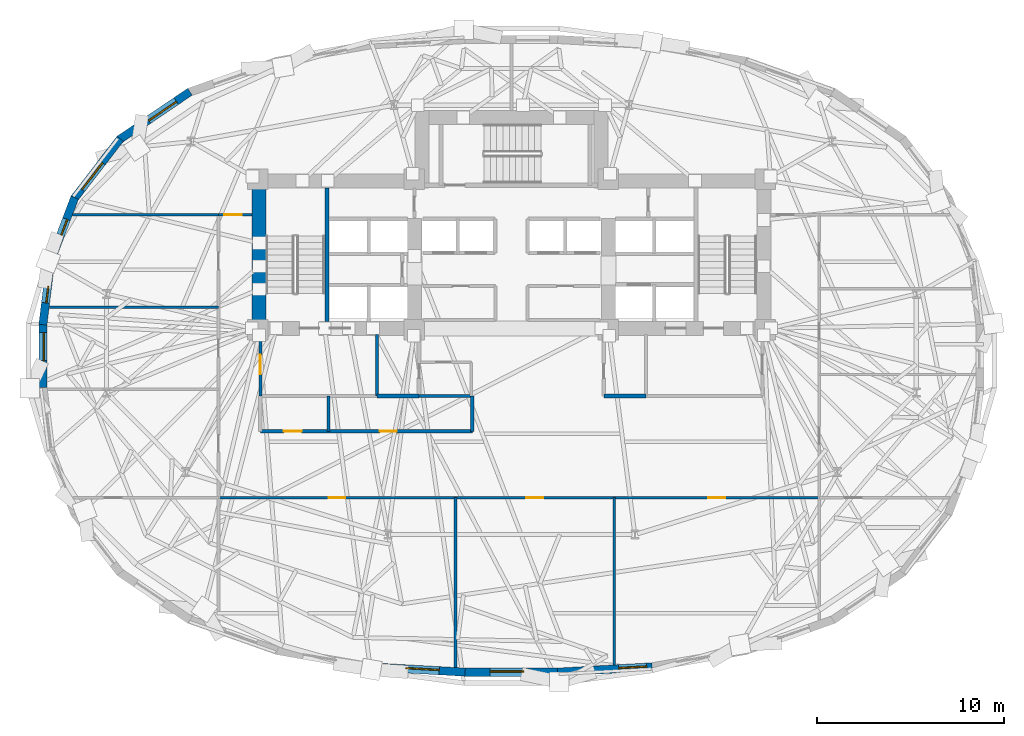
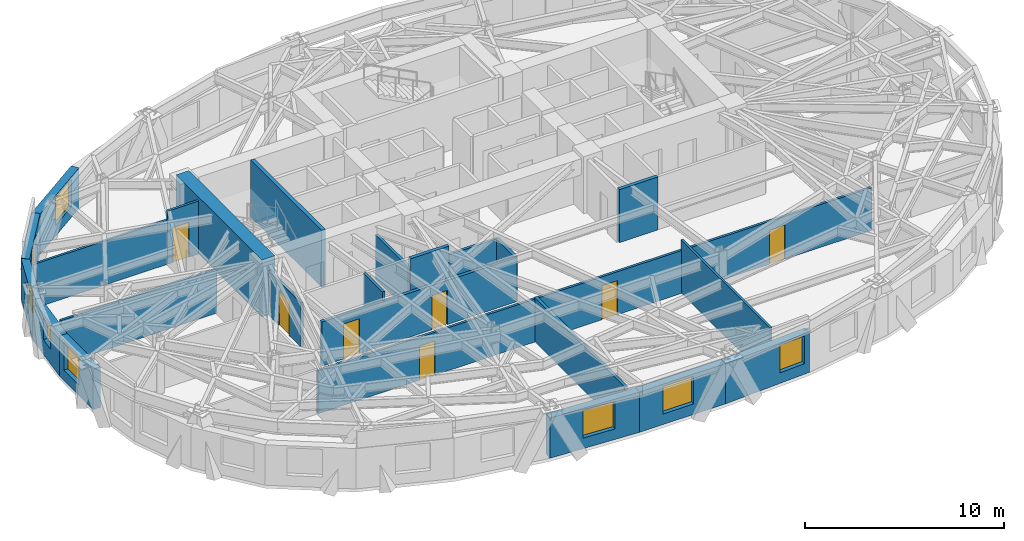
# One storey, part 6 of 13: 24 walls, 8 windows, 7 doors, 15 openings.
"""IFC4 building model written with IfcOpenShell, lengths in metres."""

from ifc_helpers import new_model, si_unit, direction, frame, frame_2d, origin, place, context, subcontext, project, spatial, rectangle, extrude, material, layer, layer_set, type_object, element, fill, save


model = new_model("IFC4")

# Units and contexts
model_context = context("Model", 3, precision=1e-05, world=origin(), true_north=direction((0.0, 1.0)))
body_context = subcontext(model_context, "Body", "Model", "MODEL_VIEW")
ifc_project = project(units=[si_unit("LENGTHUNIT", "METRE"), si_unit("AREAUNIT", "SQUARE_METRE"), si_unit("VOLUMEUNIT", "CUBIC_METRE"), si_unit("PLANEANGLEUNIT", "RADIAN"), si_unit("MASSUNIT", "GRAM", prefix="KILO")], contexts=[model_context])

# Site, building, storey
site_placement = place(None, origin())
site = spatial("IfcSite", under=ifc_project, at=site_placement, CompositionType="ELEMENT")
building_placement = place(site_placement, origin())
building = spatial("IfcBuilding", under=site, at=building_placement, Name="Keldmark Tower", CompositionType="ELEMENT")
storey_placement = place(building_placement, frame((0.0, 0.0, 131.60009765625)))
storey = spatial("IfcBuildingStorey", under=building, at=storey_placement, Name="L35", CompositionType="ELEMENT", Elevation=131.60009765625)

# Wall, openings, doors
ifc_material_1 = material(Name="Acoustic Double-Layer Gypsum Corridor Partition", Category="gypsum")
ifc_layer_1 = layer(ifc_material_1, 0.139892578125)
ifc_layer_set_1 = layer_set([ifc_layer_1], Name="Acoustic Double-Layer Gypsum Corridor Partition")
wall_type_1 = type_object("IfcWallType", Name="Acoustic Corridor Partition 140 mm", PredefinedType="PARTITIONING", material=ifc_layer_set_1)
wall_1_placement = place(storey_placement, frame((-15.699951171875, -7.60009765625, 0.0), z_axis=(0.0, 0.0, 1.0), x_axis=(1.0, 0.0, 0.0)))
wall_1 = element("IfcWall", 1, at=wall_1_placement, inside=storey, type_object=wall_type_1, Name="L35 Acoustic Corridor Partition 140 mm COR-S", PredefinedType="PARTITIONING", context=body_context, shape_type="SweptSolid", body=[
    extrude(rectangle(XDim=32.199951171875, YDim=0.139892578125, at=frame_2d((16.10009765625, 0.0))), origin(), (0.0, 0.0, 1.0), 2.637939453125),
])
opening_1_placement = place(wall_1_placement, frame((5.89990234375, 0.0, 0.0)))
opening_1 = element("IfcOpeningElement", 2, at=opening_1_placement, cuts=wall_1, Name="Opening D-IN090", PredefinedType="OPENING", context=body_context, shape_type="SweptSolid", body=[
    extrude(rectangle(XDim=0.89990234375, YDim=2.10009765625, at=frame_2d((0.449951171875, 1.050048828125))), frame((0.0, 0.079833984375, 0.0), z_axis=(0.0, -1.0, 0.0), x_axis=(1.0, 0.0, 0.0)), (0.0, 0.0, 1.0), 0.159912109375),
])
opening_2_placement = place(wall_1_placement, frame((16.5, 0.0, 0.0)))
opening_2 = element("IfcOpeningElement", 3, at=opening_2_placement, cuts=wall_1, Name="Opening D-IN090", PredefinedType="OPENING", context=body_context, shape_type="SweptSolid", body=[
    extrude(rectangle(XDim=0.89990234375, YDim=2.10009765625, at=frame_2d((0.449951171875, 1.050048828125))), frame((0.0, 0.079833984375, 0.0), z_axis=(0.0, -1.0, 0.0), x_axis=(1.0, 0.0, 0.0)), (0.0, 0.0, 1.0), 0.159912109375),
])
opening_3_placement = place(wall_1_placement, frame((26.25, 0.0, 0.0)))
opening_3 = element("IfcOpeningElement", 4, at=opening_3_placement, cuts=wall_1, Name="Opening D-IN090", PredefinedType="OPENING", context=body_context, shape_type="SweptSolid", body=[
    extrude(rectangle(XDim=0.89990234375, YDim=2.10009765625, at=frame_2d((0.449951171875, 1.050048828125))), frame((0.0, 0.079833984375, 0.0), z_axis=(0.0, -1.0, 0.0), x_axis=(1.0, 0.0, 0.0)), (0.0, 0.0, 1.0), 0.159912109375),
])
ifc_material_2 = material(Name="Stained American White Oak Veneer", Category="wood")
door_type_1 = type_object("IfcDoorType", Name="Interior Door 900x2100", OperationType="NOTDEFINED", PredefinedType="DOOR", material=ifc_material_2)
door_1_placement = place(opening_1_placement, origin())
door_1 = element("IfcDoor", 5, at=door_1_placement, inside=storey, type_object=door_type_1, Name="L35 Interior Door 900x2100 D-SR-1-L35", OperationType="SINGLE_SWING_LEFT", OverallHeight=2.10009765625, OverallWidth=0.89990234375, PredefinedType="DOOR", context=body_context, shape_type="SweptSolid", body=[
    extrude(rectangle(XDim=0.89990234375, YDim=2.10009765625, at=frame_2d((0.449951171875, 1.050048828125))), frame((0.0, 0.02490234375, 0.0), z_axis=(0.0, -1.0, 0.0), x_axis=(1.0, 0.0, 0.0)), (0.0, 0.0, 1.0), 0.050048828125),
])
fill(opening_1, door_1)
door_2_placement = place(opening_2_placement, origin())
door_2 = element("IfcDoor", 6, at=door_2_placement, inside=storey, type_object=door_type_1, Name="L35 Interior Door 900x2100 D-SR-2-L35", OperationType="SINGLE_SWING_RIGHT", OverallHeight=2.10009765625, OverallWidth=0.89990234375, PredefinedType="DOOR", context=body_context, shape_type="SweptSolid", body=[
    extrude(rectangle(XDim=0.89990234375, YDim=2.10009765625, at=frame_2d((0.449951171875, 1.050048828125))), frame((0.0, 0.02490234375, 0.0), z_axis=(0.0, -1.0, 0.0), x_axis=(1.0, 0.0, 0.0)), (0.0, 0.0, 1.0), 0.050048828125),
])
fill(opening_2, door_2)
door_3_placement = place(opening_3_placement, origin())
door_3 = element("IfcDoor", 7, at=door_3_placement, inside=storey, type_object=door_type_1, Name="L35 Interior Door 900x2100 D-SR-3-L35", OperationType="SINGLE_SWING_LEFT", OverallHeight=2.10009765625, OverallWidth=0.89990234375, PredefinedType="DOOR", context=body_context, shape_type="SweptSolid", body=[
    extrude(rectangle(XDim=0.89990234375, YDim=2.10009765625, at=frame_2d((0.449951171875, 1.050048828125))), frame((0.0, 0.02490234375, 0.0), z_axis=(0.0, -1.0, 0.0), x_axis=(1.0, 0.0, 0.0)), (0.0, 0.0, 1.0), 0.050048828125),
])
fill(opening_3, door_3)

# Wall, opening, door
wall_2_placement = place(storey_placement, frame((-15.699951171875, 7.550048828125, 0.0), z_axis=(0.0, 0.0, 1.0), x_axis=(1.0, 0.0, 0.0)))
wall_2 = element("IfcWall", 8, at=wall_2_placement, inside=storey, type_object=wall_type_1, Name="L35 Acoustic Corridor Partition 140 mm COR-WN-CAP", PredefinedType="PARTITIONING", context=body_context, shape_type="SweptSolid", body=[
    extrude(rectangle(XDim=1.800048828125, YDim=0.139892578125, at=frame_2d((0.89990234375, 0.0))), origin(), (0.0, 0.0, 1.0), 3.260009765625),
])
opening_4_placement = place(wall_2_placement, frame((0.320068359375, 0.0, 0.0)))
opening_4 = element("IfcOpeningElement", 9, at=opening_4_placement, cuts=wall_2, Name="Opening D-EX092", PredefinedType="OPENING", context=body_context, shape_type="SweptSolid", body=[
    extrude(rectangle(XDim=0.919921875, YDim=2.14990234375, at=frame_2d((0.4599609375, 1.074951171875))), frame((0.0, 0.079833984375, 0.0), z_axis=(0.0, -1.0, 0.0), x_axis=(1.0, 0.0, 0.0)), (0.0, 0.0, 1.0), 0.159912109375),
])
ifc_material_3 = material(Name="Flush American Ash Executive Office Door", Category="wood")
door_type_2 = type_object("IfcDoorType", Name="Executive Office Door 920x2150", OperationType="NOTDEFINED", PredefinedType="DOOR", material=ifc_material_3)
door_4_placement = place(opening_4_placement, origin())
door_4 = element("IfcDoor", 10, at=door_4_placement, inside=storey, type_object=door_type_2, Name="L35 Executive Office Door 920x2150 D-NRNW-L35", OperationType="SINGLE_SWING_LEFT", OverallHeight=2.14990234375, OverallWidth=0.919921875, PredefinedType="DOOR", context=body_context, shape_type="SweptSolid", body=[
    extrude(rectangle(XDim=0.919921875, YDim=2.14990234375, at=frame_2d((0.4599609375, 1.074951171875))), frame((0.0, 0.02490234375, 0.0), z_axis=(0.0, -1.0, 0.0), x_axis=(1.0, 0.0, 0.0)), (0.0, 0.0, 1.0), 0.050048828125),
])
fill(opening_4, door_4)

# Wall
ifc_material_4 = material(Name="STC-58 Insulated Tenant Demising Gypsum Partition", Category="gypsum")
ifc_layer_2 = layer(ifc_material_4, 0.175048828125)
ifc_layer_set_2 = layer_set([ifc_layer_2], Name="STC-58 Insulated Tenant Demising Gypsum Partition")
wall_type_2 = type_object("IfcWallType", Name="Demising Suite Partition 175 mm", PredefinedType="PARTITIONING", material=ifc_layer_set_2)
wall_3_placement = place(storey_placement, frame((-3.0, -16.696044921875, 0.0), z_axis=(0.0, 0.0, 1.0), x_axis=(0.0, 1.0, 0.0)))
element("IfcWall", 11, at=wall_3_placement, inside=storey, type_object=wall_type_2, Name="L35 Demising Suite Partition 175 mm S-DIV-1", PredefinedType="PARTITIONING", context=body_context, shape_type="SweptSolid", body=[
    extrude(rectangle(XDim=9.095947265625, YDim=0.175048828125, at=frame_2d((4.5478515625, 0.0))), origin(), (0.0, 0.0, 1.0), 2.712890625),
])

# Wall, openings, doors
ifc_material_5 = material(Name="Heavy Acoustic Plumbing Chase Gypsum Assembly", Category="gypsum")
ifc_layer_3 = layer(ifc_material_5, 0.18994140625)
ifc_layer_set_3 = layer_set([ifc_layer_3], Name="Heavy Acoustic Plumbing Chase Gypsum Assembly")
wall_type_3 = type_object("IfcWallType", Name="Heavy Wet Wall 190 mm", PredefinedType="PLUMBINGWALL", material=ifc_layer_set_3)
wall_4_placement = place(storey_placement, frame((-13.449951171875, -4.050048828125, 0.0), z_axis=(0.0, 0.0, 1.0), x_axis=(1.0, 0.0, 0.0)))
wall_4 = element("IfcWall", 12, at=wall_4_placement, inside=storey, type_object=wall_type_3, Name="L35 Heavy Wet Wall 190 mm SPK-W-S", PredefinedType="PLUMBINGWALL", context=body_context, shape_type="SweptSolid", body=[
    extrude(rectangle(XDim=11.349853515625, YDim=0.18994140625, at=frame_2d((5.6748046875, 0.0))), origin(), (0.0, 0.0, 1.0), 2.712890625),
])
opening_5_placement = place(wall_4_placement, frame((1.25, 0.0, 0.0)))
opening_5 = element("IfcOpeningElement", 13, at=opening_5_placement, cuts=wall_4, Name="Opening D-AWC95", PredefinedType="OPENING", context=body_context, shape_type="SweptSolid", body=[
    extrude(rectangle(XDim=0.949951171875, YDim=2.14990234375, at=frame_2d((0.47509765625, 1.074951171875))), frame((0.0, 0.10498046875, 0.0), z_axis=(0.0, -1.0, 0.0), x_axis=(1.0, 0.0, 0.0)), (0.0, 0.0, 1.0), 0.2099609375),
])
opening_6_placement = place(wall_4_placement, frame((6.39990234375, 0.0, 0.0)))
opening_6 = element("IfcOpeningElement", 14, at=opening_6_placement, cuts=wall_4, Name="Opening D-IN090", PredefinedType="OPENING", context=body_context, shape_type="SweptSolid", body=[
    extrude(rectangle(XDim=0.89990234375, YDim=2.10009765625, at=frame_2d((0.449951171875, 1.050048828125))), frame((0.0, 0.10498046875, 0.0), z_axis=(0.0, -1.0, 0.0), x_axis=(1.0, 0.0, 0.0)), (0.0, 0.0, 1.0), 0.2099609375),
])
ifc_material_6 = material(Name="Painted Solid-Core Architectural Wood", Category="wood")
door_type_3 = type_object("IfcDoorType", Name="Accessible WC Door 950x2150", OperationType="NOTDEFINED", PredefinedType="DOOR", material=ifc_material_6)
door_5_placement = place(opening_5_placement, origin())
door_5 = element("IfcDoor", 15, at=door_5_placement, inside=storey, type_object=door_type_3, Name="L35 Accessible WC Door 950x2150 D-SPKW1-L35", OperationType="SINGLE_SWING_RIGHT", OverallHeight=2.14990234375, OverallWidth=0.949951171875, PredefinedType="DOOR", context=body_context, shape_type="SweptSolid", body=[
    extrude(rectangle(XDim=0.949951171875, YDim=2.14990234375, at=frame_2d((0.47509765625, 1.074951171875))), frame((0.0, 0.02490234375, 0.0), z_axis=(0.0, -1.0, 0.0), x_axis=(1.0, 0.0, 0.0)), (0.0, 0.0, 1.0), 0.050048828125),
])
fill(opening_5, door_5)
door_6_placement = place(opening_6_placement, origin())
door_6 = element("IfcDoor", 16, at=door_6_placement, inside=storey, type_object=door_type_1, Name="L35 Interior Door 900x2100 D-SPKW2-L35", OperationType="SINGLE_SWING_RIGHT", OverallHeight=2.10009765625, OverallWidth=0.89990234375, PredefinedType="DOOR", context=body_context, shape_type="SweptSolid", body=[
    extrude(rectangle(XDim=0.89990234375, YDim=2.10009765625, at=frame_2d((0.449951171875, 1.050048828125))), frame((0.0, 0.02490234375, 0.0), z_axis=(0.0, -1.0, 0.0), x_axis=(1.0, 0.0, 0.0)), (0.0, 0.0, 1.0), 0.050048828125),
])
fill(opening_6, door_6)

# Walls
wall_5_placement = place(storey_placement, frame((-2.10009765625, -4.050048828125, 0.0), z_axis=(0.0, 0.0, 1.0), x_axis=(0.0, 1.0, 0.0)))
element("IfcWall", 17, at=wall_5_placement, inside=storey, type_object=wall_type_3, Name="L35 Heavy Wet Wall 190 mm SPK-W-E", PredefinedType="PLUMBINGWALL", context=body_context, shape_type="SweptSolid", body=[
    extrude(rectangle(XDim=1.900146484375, YDim=0.18994140625, at=frame_2d((0.9501953125, 0.0))), origin(), (0.0, 0.0, 1.0), 2.712890625),
])
ifc_material_7 = material(Name="Acoustic Gypsum Board Interior Partition", Category="gypsum")
ifc_layer_4 = layer(ifc_material_7, 0.1298828125)
ifc_layer_set_4 = layer_set([ifc_layer_4], Name="Acoustic Gypsum Board Interior Partition")
wall_type_4 = type_object("IfcWallType", Name="Interior Partition 130 mm", PredefinedType="PARTITIONING", material=ifc_layer_set_4)
wall_6_placement = place(storey_placement, frame((5.5, -16.555908203125, 0.0), z_axis=(0.0, 0.0, 1.0), x_axis=(0.0, 1.0, 0.0)))
element("IfcWall", 18, at=wall_6_placement, inside=storey, type_object=wall_type_4, Name="L35 Interior Partition 130 mm S-DIV-2", PredefinedType="PARTITIONING", context=body_context, shape_type="SweptSolid", body=[
    extrude(rectangle(XDim=8.955810546875, YDim=0.1298828125, at=frame_2d((4.47802734375, 0.0))), origin(), (0.0, 0.0, 1.0), 3.260009765625),
])
wall_7_placement = place(storey_placement, frame((-23.510986328125, 7.550048828125, 0.0), z_axis=(0.0, 0.0, 1.0), x_axis=(1.0, 0.0, 0.0)))
element("IfcWall", 19, at=wall_7_placement, inside=storey, type_object=wall_type_4, Name="L35 Interior Partition 130 mm W-CAP-N", PredefinedType="PARTITIONING", context=body_context, shape_type="SweptSolid", body=[
    extrude(rectangle(XDim=7.81103515625, YDim=0.1298828125, at=frame_2d((3.905517578125, 0.0))), origin(), (0.0, 0.0, 1.0), 2.712890625),
])
wall_8_placement = place(storey_placement, frame((-24.765869140625, 2.60009765625, 0.0), z_axis=(0.0, 0.0, 1.0), x_axis=(1.0, 0.0, 0.0)))
element("IfcWall", 20, at=wall_8_placement, inside=storey, type_object=wall_type_4, Name="L35 Interior Partition 130 mm W-DIV-2", PredefinedType="PARTITIONING", context=body_context, shape_type="SweptSolid", body=[
    extrude(rectangle(XDim=9.06591796875, YDim=0.1298828125, at=frame_2d((4.532958984375, 0.0))), origin(), (0.0, 0.0, 1.0), 2.712890625),
])
ifc_material_8 = material(Name="Concrete C70/85", Category="concrete")
ifc_layer_5 = layer(ifc_material_8, 0.75)
ifc_layer_set_5 = layer_set([ifc_layer_5], Name="Concrete C70/85")
wall_type_5 = type_object("IfcWallType", Name="Low-Mid Core Shear Wall 750 mm", PredefinedType="SHEAR", material=ifc_layer_set_5)
wall_9_placement = place(storey_placement, frame((-13.52490234375, 1.10009765625, 0.0), z_axis=(0.0, 0.0, 1.0), x_axis=(0.0, 1.0, 0.0)))
element("IfcWall", 21, at=wall_9_placement, inside=storey, type_object=wall_type_5, Name="L35 West Core Outer Shear Wall", PredefinedType="SHEAR", context=body_context, shape_type="SweptSolid", body=[
    extrude(rectangle(XDim=8.64990234375, YDim=0.75, at=frame_2d((4.324951171875, 0.0))), origin(), (0.0, 0.0, 1.0), 3.5),
])

# Wall, opening, door
ifc_material_9 = material(Name="Type X Fire-Rated Gypsum Partition Assembly", Category="gypsum")
ifc_layer_6 = layer(ifc_material_9, 0.1650390625)
ifc_layer_set_6 = layer_set([ifc_layer_6], Name="Type X Fire-Rated Gypsum Partition Assembly")
wall_type_6 = type_object("IfcWallType", Name="Rated Partition 165 mm", PredefinedType="PARTITIONING", material=ifc_layer_set_6)
wall_10_placement = place(storey_placement, frame((-13.449951171875, -2.14990234375, 0.0), z_axis=(0.0, 0.0, 1.0), x_axis=(0.0, 1.0, 0.0)))
wall_10 = element("IfcWall", 22, at=wall_10_placement, inside=storey, type_object=wall_type_6, Name="L35 Rated Partition 165 mm FSAE-W-W", PredefinedType="PARTITIONING", context=body_context, shape_type="SweptSolid", body=[
    extrude(rectangle(XDim=3.2998046875, YDim=0.1650390625, at=frame_2d((1.64990234375, 0.0))), origin(), (0.0, 0.0, 1.0), 2.712890625),
])
opening_7_placement = place(wall_10_placement, frame((1.14990234375, 0.0, 0.0)))
opening_7 = element("IfcOpeningElement", 23, at=opening_7_placement, cuts=wall_10, Name="Opening D-FL105", PredefinedType="OPENING", context=body_context, shape_type="SweptSolid", body=[
    extrude(rectangle(XDim=1.050048828125, YDim=2.14990234375, at=frame_2d((0.52490234375, 1.074951171875))), frame((0.0, 0.092529296875, 0.0), z_axis=(0.0, -1.0, 0.0), x_axis=(1.0, 0.0, 0.0)), (0.0, 0.0, 1.0), 0.18505859375),
])
ifc_material_10 = material(Name="Fire-Rated Mineral-Core Door and Vision Lite", Category="metal")
door_type_4 = type_object("IfcDoorType", Name="Fire Lobby Door 1050x2150", OperationType="NOTDEFINED", PredefinedType="DOOR", material=ifc_material_10)
door_7_placement = place(opening_7_placement, origin())
door_7 = element("IfcDoor", 24, at=door_7_placement, inside=storey, type_object=door_type_4, Name="L35 Fire Lobby Door 1050x2150 D-FSAEW-OUT-L35", OperationType="SINGLE_SWING_LEFT", OverallHeight=2.14990234375, OverallWidth=1.050048828125, PredefinedType="DOOR", context=body_context, shape_type="SweptSolid", body=[
    extrude(rectangle(XDim=1.050048828125, YDim=2.14990234375, at=frame_2d((0.52490234375, 1.074951171875))), frame((0.0, 0.02490234375, 0.0), z_axis=(0.0, -1.0, 0.0), x_axis=(1.0, 0.0, 0.0)), (0.0, 0.0, 1.0), 0.050048828125),
])
fill(opening_7, door_7)

# Walls
wall_11_placement = place(storey_placement, frame((-7.199951171875, -2.14990234375, 0.0), z_axis=(0.0, 0.0, 1.0), x_axis=(0.0, 1.0, 0.0)))
element("IfcWall", 25, at=wall_11_placement, inside=storey, type_object=wall_type_6, Name="L35 Rated Partition 165 mm FSAE-W-E", PredefinedType="PARTITIONING", context=body_context, shape_type="SweptSolid", body=[
    extrude(rectangle(XDim=3.2998046875, YDim=0.1650390625, at=frame_2d((1.64990234375, 0.0))), origin(), (0.0, 0.0, 1.0), 2.712890625),
])
ifc_material_11 = material(Name="Fire-Resistant Type X Gypsum Shaftliner Coreboard", Category="gypsum")
ifc_layer_7 = layer(ifc_material_11, 0.199951171875)
ifc_layer_set_7 = layer_set([ifc_layer_7], Name="Fire-Resistant Type X Gypsum Shaftliner Coreboard")
wall_type_7 = type_object("IfcWallType", Name="Shaft Wall 200 mm", PredefinedType="SOLIDWALL", material=ifc_layer_set_7)
for number, where, z_axis, x_axis, name in (
    (26, (-7.199951171875, -2.14990234375, 0.0), (0.0, 0.0, 1.0), (1.0, 0.0, 0.0), "L35 Shaft Wall 200 mm RIS-SW-S"),
    (27, (4.949951171875, -2.14990234375, 0.0), (0.0, 0.0, 1.0), (1.0, 0.0, 0.0), "L35 Shaft Wall 200 mm RIS-SE-S"),
):
    element("IfcWall", number, at=place(storey_placement, frame(where, z_axis=z_axis, x_axis=x_axis)), inside=storey, type_object=wall_type_7, Name=name, PredefinedType="SOLIDWALL", context=body_context, shape_type="SweptSolid", body=[
        extrude(rectangle(XDim=2.25, YDim=0.199951171875, at=frame_2d((1.125, 0.0))), origin(), (0.0, 0.0, 1.0), 3.260009765625),
    ])
ifc_material_12 = material(Name="Concrete C50/60", Category="concrete")
ifc_layer_8 = layer(ifc_material_12, 0.219970703125)
ifc_layer_set_8 = layer_set([ifc_layer_8], Name="Concrete C50/60")
wall_type_8 = type_object("IfcWallType", Name="Stair Core Shear Wall 220 mm", PredefinedType="SHEAR", material=ifc_layer_set_8)
wall_12_placement = place(storey_placement, frame((-9.889892578125, 1.85009765625, 0.0), z_axis=(0.0, 0.0, 1.0), x_axis=(0.0, 1.0, 0.0)))
element("IfcWall", 28, at=wall_12_placement, inside=storey, type_object=wall_type_8, Name="L35 West Stair Core Shear Wall", PredefinedType="SHEAR", context=body_context, shape_type="SweptSolid", body=[
    extrude(rectangle(XDim=7.14990234375, YDim=0.219970703125, at=frame_2d((3.574951171875, 0.0))), origin(), (0.0, 0.0, 1.0), 3.5),
])

# Wall, opening, window
ifc_material_13 = material(Name="Ironspot Manganese Brick and Kasota Buff Limestone Spandrel Assembly", Category="masonry")
ifc_layer_9 = layer(ifc_material_13, 0.43994140625)
ifc_layer_set_9 = layer_set([ifc_layer_9], Name="Ironspot Manganese Brick and Kasota Buff Limestone Spandrel Assembly")
wall_type_9 = type_object("IfcWallType", Name="Tower Brick Pier and Spandrel Wall 440 mm", PredefinedType="STANDARD", material=ifc_layer_set_9)
wall_13_placement = place(storey_placement, frame((-21.017822265625, 11.581787109375, 0.0), z_axis=(0.0, 0.0, 1.0), x_axis=(0.827670311179, 0.561214625605, 0.0)))
wall_13 = element("IfcWall", 29, at=wall_13_placement, inside=storey, type_object=wall_type_9, Name="L35 Exterior Brick and Spandrel Wall 12", PredefinedType="STANDARD", context=body_context, shape_type="SweptSolid", body=[
    extrude(rectangle(XDim=4.580322265625, YDim=0.43994140625, at=frame_2d((2.2900390625, 0.0))), origin(), (0.0, 0.0, 1.0), 2.48193359375),
])
opening_8_placement = place(wall_13_placement, frame((1.885986328125, 0.0, 0.64990234375)))
opening_8 = element("IfcOpeningElement", 30, at=opening_8_placement, cuts=wall_13, Name="Opening W-02", PredefinedType="OPENING", context=body_context, shape_type="SweptSolid", body=[
    extrude(rectangle(XDim=1.800048828125, YDim=1.699951171875, at=frame_2d((0.89990234375, 0.85009765625))), frame((0.0, 0.22998046875, 0.0), z_axis=(0.0, -1.0, 0.0), x_axis=(1.0, 0.0, 0.0)), (0.0, 0.0, 1.0), 0.4599609375),
])
ifc_material_14 = material(Name="Thermally Broken Anodized Aluminum and Triple Low-E Argon Glazing", Category="aluminium")
window_type_1 = type_object("IfcWindowType", Name="Office Deep-Set Triple Window 1800x1700", PartitioningType="TRIPLE_PANEL_VERTICAL", PredefinedType="WINDOW", material=ifc_material_14)
window_1_placement = place(opening_8_placement, origin())
window_1 = element("IfcWindow", 31, at=window_1_placement, inside=storey, type_object=window_type_1, Name="L35 Deep-Set Window 12", OverallHeight=1.699951171875, OverallWidth=1.800048828125, PartitioningType="SINGLE_PANEL", PredefinedType="WINDOW", context=body_context, shape_type="SweptSolid", body=[
    extrude(rectangle(XDim=1.800048828125, YDim=1.699951171875, at=frame_2d((0.89990234375, 0.85009765625))), frame((0.0, -0.010009765625, 0.0), z_axis=(0.0, -1.0, 0.0), x_axis=(1.0, 0.0, 0.0)), (0.0, 0.0, 1.0), 0.06005859375),
])
fill(opening_8, window_1)

wall_14_placement = place(storey_placement, frame((-23.4345703125, 8.422119140625, 0.0), z_axis=(0.0, 0.0, 1.0), x_axis=(0.60975157382, 0.792592592839, 0.0)))
wall_14 = element("IfcWall", 32, at=wall_14_placement, inside=storey, type_object=wall_type_9, Name="L35 Exterior Brick and Spandrel Wall 13", PredefinedType="STANDARD", context=body_context, shape_type="SweptSolid", body=[
    extrude(rectangle(XDim=4.047119140625, YDim=0.43994140625, at=frame_2d((2.0234375, 0.0))), origin(), (0.0, 0.0, 1.0), 2.48193359375),
])
opening_9_placement = place(wall_14_placement, frame((0.6494140625, 0.0, 0.64990234375)))
opening_9 = element("IfcOpeningElement", 33, at=opening_9_placement, cuts=wall_14, Name="Opening W-02", PredefinedType="OPENING", context=body_context, shape_type="SweptSolid", body=[
    extrude(rectangle(XDim=1.800048828125, YDim=1.699951171875, at=frame_2d((0.89990234375, 0.85009765625))), frame((0.0, 0.22998046875, 0.0), z_axis=(0.0, -1.0, 0.0), x_axis=(1.0, 0.0, 0.0)), (0.0, 0.0, 1.0), 0.4599609375),
])
window_2_placement = place(opening_9_placement, origin())
window_2 = element("IfcWindow", 34, at=window_2_placement, inside=storey, type_object=window_type_1, Name="L35 Deep-Set Window 13", OverallHeight=1.699951171875, OverallWidth=1.800048828125, PartitioningType="SINGLE_PANEL", PredefinedType="WINDOW", context=body_context, shape_type="SweptSolid", body=[
    extrude(rectangle(XDim=1.800048828125, YDim=1.699951171875, at=frame_2d((0.89990234375, 0.85009765625))), frame((0.0, -0.010009765625, 0.0), z_axis=(0.0, -1.0, 0.0), x_axis=(1.0, 0.0, 0.0)), (0.0, 0.0, 1.0), 0.06005859375),
])
fill(opening_9, window_2)

wall_15_placement = place(storey_placement, frame((-24.70361328125, 5.04541015625, 0.0), z_axis=(0.0, 0.0, 1.0), x_axis=(0.354219131363, 0.935162449511, 0.0)))
wall_15 = element("IfcWall", 35, at=wall_15_placement, inside=storey, type_object=wall_type_9, Name="L35 Exterior Brick and Spandrel Wall 14", PredefinedType="STANDARD", context=body_context, shape_type="SweptSolid", body=[
    extrude(rectangle(XDim=3.6708984375, YDim=0.43994140625, at=frame_2d((1.83544921875, 0.0))), origin(), (0.0, 0.0, 1.0), 2.477783203125),
])
opening_10_placement = place(wall_15_placement, frame((1.53369140625, 0.0, 0.580078125)))
opening_10 = element("IfcOpeningElement", 36, at=opening_10_placement, cuts=wall_15, Name="Opening W-09", PredefinedType="OPENING", context=body_context, shape_type="SweptSolid", body=[
    extrude(rectangle(XDim=0.89990234375, YDim=1.35009765625, at=frame_2d((0.449951171875, 0.675048828125))), frame((0.0, 0.22998046875, 0.0), z_axis=(0.0, -1.0, 0.0), x_axis=(1.0, 0.0, 0.0)), (0.0, 0.0, 1.0), 0.4599609375),
])
ifc_material_15 = material(Name="Thermally Broken Anodized Aluminum and Triple Low-E Argon Glazing", Category="aluminium")
window_type_2 = type_object("IfcWindowType", Name="Corner Pier Deep-Set Window 900x1350", PartitioningType="SINGLE_PANEL", PredefinedType="WINDOW", material=ifc_material_15)
window_3_placement = place(opening_10_placement, origin())
window_3 = element("IfcWindow", 37, at=window_3_placement, inside=storey, type_object=window_type_2, Name="L35 Deep-Set Window 14", OverallHeight=1.35009765625, OverallWidth=0.89990234375, PartitioningType="SINGLE_PANEL", PredefinedType="WINDOW", context=body_context, shape_type="SweptSolid", body=[
    extrude(rectangle(XDim=0.89990234375, YDim=1.35009765625, at=frame_2d((0.449951171875, 0.675048828125))), frame((0.0, -0.010009765625, 0.0), z_axis=(0.0, -1.0, 0.0), x_axis=(1.0, 0.0, 0.0)), (0.0, 0.0, 1.0), 0.06005859375),
])
fill(opening_10, window_3)

wall_16_placement = place(storey_placement, frame((-25.109619140625, 1.664794921875, 0.0), z_axis=(0.0, 0.0, 1.0), x_axis=(0.121105287727, 0.992639667394, 0.0)))
wall_16 = element("IfcWall", 38, at=wall_16_placement, inside=storey, type_object=wall_type_9, Name="L35 Exterior Brick and Spandrel Wall 15", PredefinedType="STANDARD", context=body_context, shape_type="SweptSolid", body=[
    extrude(rectangle(XDim=3.457275390625, YDim=0.43994140625, at=frame_2d((1.728515625, 0.0))), origin(), (0.0, 0.0, 1.0), 2.477783203125),
])
opening_11_placement = place(wall_16_placement, frame((1.1806640625, 0.0, 0.919921875)))
opening_11 = element("IfcOpeningElement", 39, at=opening_11_placement, cuts=wall_16, Name="Opening W-09", PredefinedType="OPENING", context=body_context, shape_type="SweptSolid", body=[
    extrude(rectangle(XDim=0.89990234375, YDim=1.35009765625, at=frame_2d((0.449951171875, 0.675048828125))), frame((0.0, 0.22998046875, 0.0), z_axis=(0.0, -1.0, 0.0), x_axis=(1.0, 0.0, 0.0)), (0.0, 0.0, 1.0), 0.4599609375),
])
window_4_placement = place(opening_11_placement, origin())
window_4 = element("IfcWindow", 40, at=window_4_placement, inside=storey, type_object=window_type_2, Name="L35 Deep-Set Window 15", OverallHeight=1.35009765625, OverallWidth=0.89990234375, PartitioningType="SINGLE_PANEL", PredefinedType="WINDOW", context=body_context, shape_type="SweptSolid", body=[
    extrude(rectangle(XDim=0.89990234375, YDim=1.35009765625, at=frame_2d((0.449951171875, 0.675048828125))), frame((0.0, -0.010009765625, 0.0), z_axis=(0.0, -1.0, 0.0), x_axis=(1.0, 0.0, 0.0)), (0.0, 0.0, 1.0), 0.06005859375),
])
fill(opening_11, window_4)

wall_17_placement = place(storey_placement, frame((-25.108154296875, -1.69140625, 0.0), z_axis=(0.0, 0.0, 1.0), x_axis=(0.0, 1.0, 0.0)))
wall_17 = element("IfcWall", 41, at=wall_17_placement, inside=storey, type_object=wall_type_9, Name="L35 Exterior Brick and Spandrel Wall 16", PredefinedType="STANDARD", context=body_context, shape_type="SweptSolid", body=[
    extrude(rectangle(XDim=3.3828125, YDim=0.43994140625, at=frame_2d((1.69140625, 0.0))), origin(), (0.0, 0.0, 1.0), 2.48193359375),
])
opening_12_placement = place(wall_17_placement, frame((1.435791015625, 0.0, 0.64990234375)))
opening_12 = element("IfcOpeningElement", 42, at=opening_12_placement, cuts=wall_17, Name="Opening W-03", PredefinedType="OPENING", context=body_context, shape_type="SweptSolid", body=[
    extrude(rectangle(XDim=1.5, YDim=1.699951171875, at=frame_2d((0.75, 0.85009765625))), frame((0.0, 0.22998046875, 0.0), z_axis=(0.0, -1.0, 0.0), x_axis=(1.0, 0.0, 0.0)), (0.0, 0.0, 1.0), 0.4599609375),
])
ifc_material_16 = material(Name="Thermally Broken Anodized Aluminum and Triple Low-E Argon Glazing", Category="aluminium")
window_type_3 = type_object("IfcWindowType", Name="Office Corner Deep-Set Window 1500x1700", PartitioningType="DOUBLE_PANEL_VERTICAL", PredefinedType="WINDOW", material=ifc_material_16)
window_5_placement = place(opening_12_placement, origin())
window_5 = element("IfcWindow", 43, at=window_5_placement, inside=storey, type_object=window_type_3, Name="L35 Deep-Set Window 16", OverallHeight=1.699951171875, OverallWidth=1.5, PartitioningType="SINGLE_PANEL", PredefinedType="WINDOW", context=body_context, shape_type="SweptSolid", body=[
    extrude(rectangle(XDim=1.5, YDim=1.699951171875, at=frame_2d((0.75, 0.85009765625))), frame((0.0, -0.010009765625, 0.0), z_axis=(0.0, -1.0, 0.0), x_axis=(1.0, 0.0, 0.0)), (0.0, 0.0, 1.0), 0.06005859375),
])
fill(opening_12, window_5)

wall_18_placement = place(storey_placement, frame((-2.482421875, -16.95361328125, 0.0), z_axis=(0.0, 0.0, 1.0), x_axis=(-0.99842742965, 0.056059501621, 0.0)))
wall_18 = element("IfcWall", 44, at=wall_18_placement, inside=storey, type_object=wall_type_9, Name="L35 Exterior Brick and Spandrel Wall 23", PredefinedType="STANDARD", context=body_context, shape_type="SweptSolid", body=[
    extrude(rectangle(XDim=5.0693359375, YDim=0.43994140625, at=frame_2d((2.53466796875, 0.0))), origin(), (0.0, 0.0, 1.0), 2.477783203125),
])
opening_13_placement = place(wall_18_placement, frame((1.387451171875, 0.0, 0.64990234375)))
opening_13 = element("IfcOpeningElement", 45, at=opening_13_placement, cuts=wall_18, Name="Opening W-02", PredefinedType="OPENING", context=body_context, shape_type="SweptSolid", body=[
    extrude(rectangle(XDim=1.800048828125, YDim=1.699951171875, at=frame_2d((0.89990234375, 0.85009765625))), frame((0.0, 0.22998046875, 0.0), z_axis=(0.0, -1.0, 0.0), x_axis=(1.0, 0.0, 0.0)), (0.0, 0.0, 1.0), 0.4599609375),
])
window_6_placement = place(opening_13_placement, origin())
window_6 = element("IfcWindow", 46, at=window_6_placement, inside=storey, type_object=window_type_1, Name="L35 Deep-Set Window 23", OverallHeight=1.699951171875, OverallWidth=1.800048828125, PartitioningType="SINGLE_PANEL", PredefinedType="WINDOW", context=body_context, shape_type="SweptSolid", body=[
    extrude(rectangle(XDim=1.800048828125, YDim=1.699951171875, at=frame_2d((0.89990234375, 0.85009765625))), frame((0.0, -0.010009765625, 0.0), z_axis=(0.0, -1.0, 0.0), x_axis=(1.0, 0.0, 0.0)), (0.0, 0.0, 1.0), 0.06005859375),
])
fill(opening_13, window_6)

wall_19_placement = place(storey_placement, frame((2.49462890625, -16.953125, 0.0), z_axis=(0.0, 0.0, 1.0), x_axis=(-1.0, 0.0, 0.0)))
wall_19 = element("IfcWall", 47, at=wall_19_placement, inside=storey, type_object=wall_type_9, Name="L35 Exterior Brick and Spandrel Wall 24", PredefinedType="STANDARD", context=body_context, shape_type="SweptSolid", body=[
    extrude(rectangle(XDim=4.9892578125, YDim=0.43994140625, at=frame_2d((2.49462890625, 0.0))), origin(), (0.0, 0.0, 1.0), 2.48193359375),
])
opening_14_placement = place(wall_19_placement, frame((1.843505859375, 0.0, 0.64990234375)))
opening_14 = element("IfcOpeningElement", 48, at=opening_14_placement, cuts=wall_19, Name="Opening W-02", PredefinedType="OPENING", context=body_context, shape_type="SweptSolid", body=[
    extrude(rectangle(XDim=1.800048828125, YDim=1.699951171875, at=frame_2d((0.89990234375, 0.85009765625))), frame((0.0, 0.22998046875, 0.0), z_axis=(0.0, -1.0, 0.0), x_axis=(1.0, 0.0, 0.0)), (0.0, 0.0, 1.0), 0.4599609375),
])
window_7_placement = place(opening_14_placement, origin())
window_7 = element("IfcWindow", 49, at=window_7_placement, inside=storey, type_object=window_type_1, Name="L35 Deep-Set Window 24", OverallHeight=1.699951171875, OverallWidth=1.800048828125, PartitioningType="SINGLE_PANEL", PredefinedType="WINDOW", context=body_context, shape_type="SweptSolid", body=[
    extrude(rectangle(XDim=1.800048828125, YDim=1.699951171875, at=frame_2d((0.89990234375, 0.85009765625))), frame((0.0, -0.010009765625, 0.0), z_axis=(0.0, -1.0, 0.0), x_axis=(1.0, 0.0, 0.0)), (0.0, 0.0, 1.0), 0.06005859375),
])
fill(opening_14, window_7)

wall_20_placement = place(storey_placement, frame((7.543701171875, -16.66943359375, 0.0), z_axis=(0.0, 0.0, 1.0), x_axis=(-0.99842742965, -0.056059501621, 0.0)))
wall_20 = element("IfcWall", 50, at=wall_20_placement, inside=storey, type_object=wall_type_9, Name="L35 Exterior Brick and Spandrel Wall 25", PredefinedType="STANDARD", context=body_context, shape_type="SweptSolid", body=[
    extrude(rectangle(XDim=5.0693359375, YDim=0.43994140625, at=frame_2d((2.53466796875, 0.0))), origin(), (0.0, 0.0, 1.0), 2.477783203125),
])
opening_15_placement = place(wall_20_placement, frame((0.299072265625, 0.0, 0.64990234375)))
opening_15 = element("IfcOpeningElement", 51, at=opening_15_placement, cuts=wall_20, Name="Opening W-03", PredefinedType="OPENING", context=body_context, shape_type="SweptSolid", body=[
    extrude(rectangle(XDim=1.5, YDim=1.699951171875, at=frame_2d((0.75, 0.85009765625))), frame((0.0, 0.22998046875, 0.0), z_axis=(0.0, -1.0, 0.0), x_axis=(1.0, 0.0, 0.0)), (0.0, 0.0, 1.0), 0.4599609375),
])
window_8_placement = place(opening_15_placement, origin())
window_8 = element("IfcWindow", 52, at=window_8_placement, inside=storey, type_object=window_type_3, Name="L35 Deep-Set Window 25", OverallHeight=1.699951171875, OverallWidth=1.5, PartitioningType="SINGLE_PANEL", PredefinedType="WINDOW", context=body_context, shape_type="SweptSolid", body=[
    extrude(rectangle(XDim=1.5, YDim=1.699951171875, at=frame_2d((0.75, 0.85009765625))), frame((0.0, -0.010009765625, 0.0), z_axis=(0.0, -1.0, 0.0), x_axis=(1.0, 0.0, 0.0)), (0.0, 0.0, 1.0), 0.06005859375),
])
fill(opening_15, window_8)

# Walls
ifc_material_17 = material(Name="Moisture-Resistant Gypsum Plumbing Partition", Category="gypsum")
ifc_layer_10 = layer(ifc_material_17, 0.14990234375)
ifc_layer_set_10 = layer_set([ifc_layer_10], Name="Moisture-Resistant Gypsum Plumbing Partition")
wall_type_10 = type_object("IfcWallType", Name="Wet Wall 150 mm", PredefinedType="PLUMBINGWALL", material=ifc_layer_set_10)
wall_21_placement = place(storey_placement, frame((-4.949951171875, -2.14990234375, 0.0), z_axis=(0.0, 0.0, 1.0), x_axis=(1.0, 0.0, 0.0)))
element("IfcWall", 53, at=wall_21_placement, inside=storey, type_object=wall_type_10, Name="L35 Wet Wall 150 mm SPK-W-N", PredefinedType="PLUMBINGWALL", context=body_context, shape_type="SweptSolid", body=[
    extrude(rectangle(XDim=2.849853515625, YDim=0.14990234375, at=frame_2d((1.4248046875, 0.0))), origin(), (0.0, 0.0, 1.0), 2.712890625),
])
wall_22_placement = place(storey_placement, frame((-9.800048828125, -4.050048828125, 0.0), z_axis=(0.0, 0.0, 1.0), x_axis=(0.0, 1.0, 0.0)))
element("IfcWall", 54, at=wall_22_placement, inside=storey, type_object=wall_type_10, Name="L35 Wet Wall 150 mm SPK-W-D1", PredefinedType="PLUMBINGWALL", context=body_context, shape_type="SweptSolid", body=[
    extrude(rectangle(XDim=1.900146484375, YDim=0.14990234375, at=frame_2d((0.9501953125, 0.0))), origin(), (0.0, 0.0, 1.0), 3.260009765625),
])

save(model, "model.ifc")
